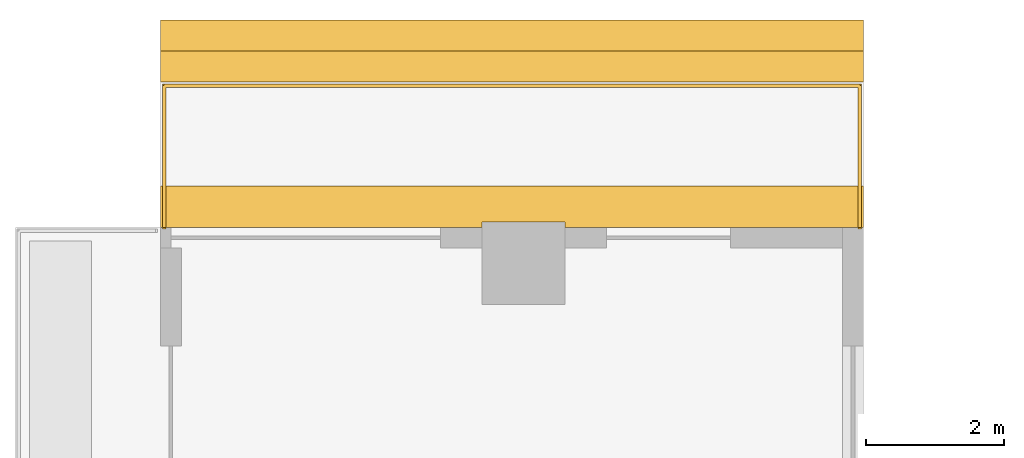
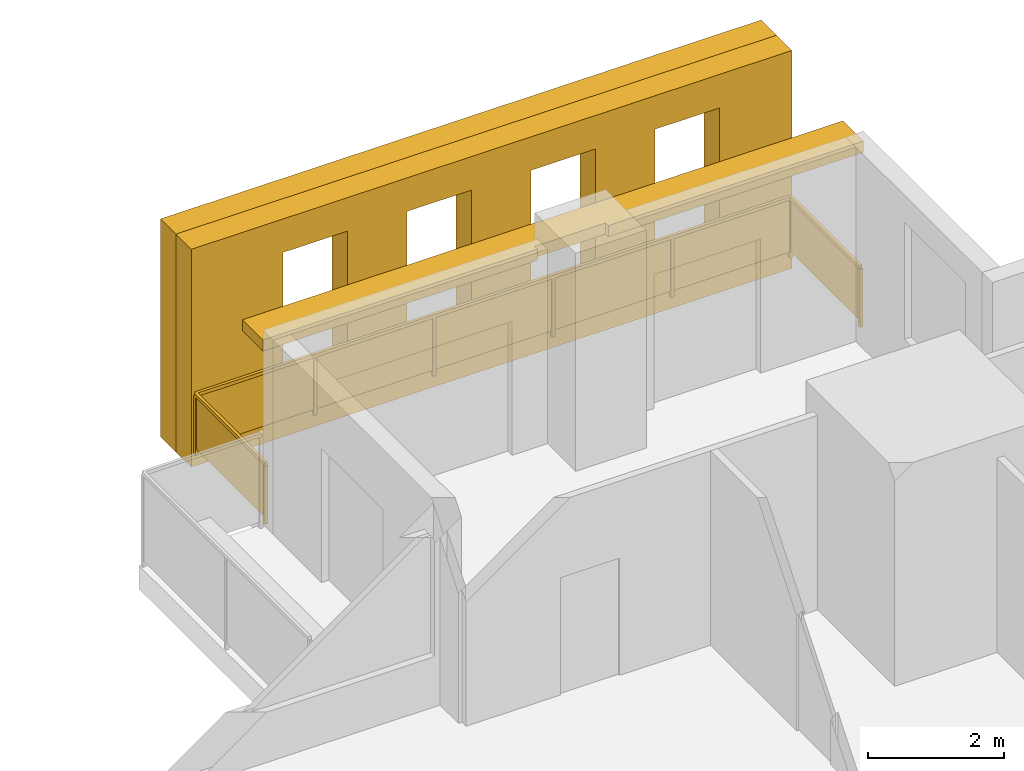
# One storey, part 15 of 15: 3 shading devices, 1 railing.
"""IFC4 building model written with IfcOpenShell, lengths in metres."""

from ifc_helpers import new_model, si_unit, direction, frame, origin, origin_2d, place, context, subcontext, project, spatial, polyline, rectangle, outline, extrude, material, layer, layer_set, type_object, element, save


model = new_model("IFC4")

# Units and contexts
model_context = context("Model", 3, precision=1e-05, world=origin(), true_north=direction((0.0, 1.0)))
body_context = subcontext(model_context, "Body", "Model", "MODEL_VIEW")
ifc_project = project(units=[si_unit("LENGTHUNIT", "METRE"), si_unit("AREAUNIT", "SQUARE_METRE"), si_unit("VOLUMEUNIT", "CUBIC_METRE"), si_unit("PLANEANGLEUNIT", "RADIAN"), si_unit("MASSUNIT", "GRAM", prefix="KILO")], contexts=[model_context])

# Site, building, storey
site_placement = place(None, origin())
site = spatial("IfcSite", under=ifc_project, at=site_placement, CompositionType="ELEMENT")
building_placement = place(site_placement, origin())
building = spatial("IfcBuilding", under=site, at=building_placement, Name="Khepri Terraces", CompositionType="ELEMENT")
storey_placement = place(building_placement, frame((0.0, 0.0, 165.0)))
storey = spatial("IfcBuildingStorey", under=building, at=storey_placement, Name="L39", CompositionType="ELEMENT", Elevation=165.0)

# Railing
ifc_material_1 = material(Name="Stainless steel grade 316", Category="steel")
railing_type = type_object("IfcRailingType", Name="GRD-BAL-1100", PredefinedType="GUARDRAIL", material=ifc_material_1)
railing_placement = place(storey_placement, frame((21.669921875, 25.719970703125, 0.0)))
element("IfcRailing", 1, at=railing_placement, inside=storey, type_object=railing_type, Name="Balcony guard L39 N", PredefinedType="GUARDRAIL", context=body_context, shape_type="SweptSolid", body=[
    extrude(rectangle(XDim=0.050048828125, YDim=0.06005859375, at=origin_2d()), frame((0.0, 0.0, 1.070068359375), z_axis=(0.0, 1.0, 0.0), x_axis=(-1.0, 0.0, 0.0)), (0.0, 0.0, 1.0), 2.050048828125),
    extrude(rectangle(XDim=2.0, YDim=0.011962890625, at=origin_2d()), frame((0.0, 1.02490234375, 0.10009765625), z_axis=(0.0, 0.0, 1.0), x_axis=(0.0, 1.0, 0.0)), (0.0, 0.0, 1.0), 0.93994140625),
    extrude(rectangle(XDim=0.050048828125, YDim=0.06005859375, at=origin_2d()), frame((0.0, 2.050048828125, 1.070068359375), z_axis=(-1.0, 0.0, 0.0), x_axis=(0.0, -1.0, 0.0)), (0.0, 0.0, 1.0), 10.06982421875),
    extrude(rectangle(XDim=1.9638671875, YDim=0.011962890625, at=origin_2d()), frame((-1.007080078125, 2.050048828125, 0.10009765625), z_axis=(0.0, 0.0, 1.0), x_axis=(-1.0, 0.0, 0.0)), (0.0, 0.0, 1.0), 0.93994140625),
    extrude(rectangle(XDim=1.9638671875, YDim=0.011962890625, at=origin_2d()), frame((-3.02099609375, 2.050048828125, 0.10009765625), z_axis=(0.0, 0.0, 1.0), x_axis=(-1.0, 0.0, 0.0)), (0.0, 0.0, 1.0), 0.93994140625),
    extrude(rectangle(XDim=1.9638671875, YDim=0.011962890625, at=origin_2d()), frame((-5.034912109375, 2.050048828125, 0.10009765625), z_axis=(0.0, 0.0, 1.0), x_axis=(-1.0, 0.0, 0.0)), (0.0, 0.0, 1.0), 0.93994140625),
    extrude(rectangle(XDim=1.9638671875, YDim=0.011962890625, at=origin_2d()), frame((-7.048828125, 2.050048828125, 0.10009765625), z_axis=(0.0, 0.0, 1.0), x_axis=(-1.0, 0.0, 0.0)), (0.0, 0.0, 1.0), 0.93994140625),
    extrude(rectangle(XDim=1.9638671875, YDim=0.011962890625, at=origin_2d()), frame((-9.062744140625, 2.050048828125, 0.10009765625), z_axis=(0.0, 0.0, 1.0), x_axis=(-1.0, 0.0, 0.0)), (0.0, 0.0, 1.0), 0.93994140625),
    extrude(rectangle(XDim=0.050048828125, YDim=0.06005859375, at=origin_2d()), frame((-10.06982421875, 2.050048828125, 1.070068359375), z_axis=(0.0, -1.0, 0.0), x_axis=(1.0, 0.0, 0.0)), (0.0, 0.0, 1.0), 2.050048828125),
    extrude(rectangle(XDim=2.0, YDim=0.011962890625, at=origin_2d()), frame((-10.06982421875, 1.02490234375, 0.10009765625), z_axis=(0.0, 0.0, 1.0), x_axis=(0.0, -1.0, 0.0)), (0.0, 0.0, 1.0), 0.93994140625),
    extrude(rectangle(XDim=0.050048828125, YDim=0.050048828125, at=origin_2d()), origin(), (0.0, 0.0, 1.0), 1.0400390625),
    extrude(rectangle(XDim=0.050048828125, YDim=0.050048828125, at=origin_2d()), frame((0.0, 2.050048828125, 0.0)), (0.0, 0.0, 1.0), 1.0400390625),
    extrude(rectangle(XDim=0.050048828125, YDim=0.050048828125, at=origin_2d()), frame((-2.013916015625, 2.050048828125, 0.0)), (0.0, 0.0, 1.0), 1.0400390625),
    extrude(rectangle(XDim=0.050048828125, YDim=0.050048828125, at=origin_2d()), frame((-4.02783203125, 2.050048828125, 0.0)), (0.0, 0.0, 1.0), 1.0400390625),
    extrude(rectangle(XDim=0.050048828125, YDim=0.050048828125, at=origin_2d()), frame((-6.0419921875, 2.050048828125, 0.0)), (0.0, 0.0, 1.0), 1.0400390625),
    extrude(rectangle(XDim=0.050048828125, YDim=0.050048828125, at=origin_2d()), frame((-8.055908203125, 2.050048828125, 0.0)), (0.0, 0.0, 1.0), 1.0400390625),
    extrude(rectangle(XDim=0.050048828125, YDim=0.050048828125, at=origin_2d()), frame((-10.06982421875, 2.050048828125, 0.0)), (0.0, 0.0, 1.0), 1.0400390625),
    extrude(rectangle(XDim=0.050048828125, YDim=0.050048828125, at=origin_2d()), frame((-10.06982421875, 0.0, 0.0)), (0.0, 0.0, 1.0), 1.0400390625),
])

# Shading devices
ifc_material_2 = material(Name="Precast concrete C50/60 warm stone", Category="masonry")
shading_device_type_1 = type_object("IfcShadingDeviceType", Name="SCR-CELL-INNER-450", PredefinedType="USERDEFINED", material=ifc_material_2)
shading_device_1_placement = place(storey_placement, frame((21.719970703125, 27.820068359375, -0.25), z_axis=(0.0, 1.0, 0.0), x_axis=(-1.0, 0.0, 0.0)))
element("IfcShadingDevice", 2, at=shading_device_1_placement, inside=storey, type_object=shading_device_type_1, Name="Cell screen L39 N in", ObjectType="SCREEN", PredefinedType="USERDEFINED", context=body_context, shape_type="SweptSolid", body=[
    extrude(outline(polyline([(0.0, 0.0), (10.169921875, 0.0), (10.169921875, 3.89990234375), (0.0, 3.89990234375), (0.0, 0.0)]), holes=[polyline([(1.2265625, 0.699951171875), (2.3134765625, 0.699951171875), (2.3134765625, 3.300048828125), (1.2265625, 3.300048828125), (1.2265625, 0.699951171875)]), polyline([(3.32666015625, 0.699951171875), (4.413330078125, 0.699951171875), (4.413330078125, 3.300048828125), (3.32666015625, 3.300048828125), (3.32666015625, 0.699951171875)]), polyline([(5.426513671875, 0.699951171875), (6.513427734375, 0.699951171875), (6.513427734375, 3.300048828125), (5.426513671875, 3.300048828125), (5.426513671875, 0.699951171875)]), polyline([(7.526611328125, 0.699951171875), (8.61328125, 0.699951171875), (8.61328125, 3.300048828125), (7.526611328125, 3.300048828125), (7.526611328125, 0.699951171875)])]), origin(), (0.0, 0.0, 1.0), 0.449951171875),
])
shading_device_type_2 = type_object("IfcShadingDeviceType", Name="SCR-CELL-OUTER-450", PredefinedType="USERDEFINED", material=ifc_material_2)
shading_device_2_placement = place(storey_placement, frame((21.719970703125, 28.27001953125, -0.25), z_axis=(0.0, 1.0, 0.0), x_axis=(-1.0, 0.0, 0.0)))
element("IfcShadingDevice", 3, at=shading_device_2_placement, inside=storey, type_object=shading_device_type_2, Name="Cell screen L39 N out", ObjectType="SCREEN", PredefinedType="USERDEFINED", context=body_context, shape_type="SweptSolid", body=[
    extrude(outline(polyline([(0.0, 0.0), (10.169921875, 0.0), (10.169921875, 3.89990234375), (0.0, 3.89990234375), (0.0, 0.0)]), holes=[polyline([(0.876708984375, 0.449951171875), (2.663330078125, 0.449951171875), (2.663330078125, 3.550048828125), (0.876708984375, 3.550048828125), (0.876708984375, 0.449951171875)]), polyline([(2.9765625, 0.449951171875), (4.763427734375, 0.449951171875), (4.763427734375, 3.550048828125), (2.9765625, 3.550048828125), (2.9765625, 0.449951171875)]), polyline([(5.07666015625, 0.449951171875), (6.86328125, 0.449951171875), (6.86328125, 3.550048828125), (5.07666015625, 3.550048828125), (5.07666015625, 0.449951171875)]), polyline([(7.176513671875, 0.449951171875), (8.96337890625, 0.449951171875), (8.96337890625, 3.550048828125), (7.176513671875, 3.550048828125), (7.176513671875, 0.449951171875)])]), origin(), (0.0, 0.0, 1.0), 0.449951171875),
])
ifc_layer = layer(ifc_material_2, 0.199951171875, Name="Precast concrete C50/60 warm stone", Category="masonry")
ifc_layer_set = layer_set([ifc_layer], Name="Precast concrete C50/60 warm stone")
shading_device_type_3 = type_object("IfcShadingDeviceType", Name="SSH-BAND-STONE-200-N", PredefinedType="USERDEFINED", material=ifc_layer_set)
shading_device_3_placement = place(storey_placement, frame((0.0, 0.0, 3.10009765625)))
element("IfcShadingDevice", 4, at=shading_device_3_placement, inside=storey, type_object=shading_device_type_3, Name="Sunshade band L39 N", ObjectType="SUNSHADE", PredefinedType="USERDEFINED", context=body_context, shape_type="SweptSolid", body=[
    extrude(outline(polyline([(17.39990234375, 25.719970703125), (21.719970703125, 25.719970703125), (21.719970703125, 26.320068359375), (11.550048828125, 26.320068359375), (11.550048828125, 25.719970703125), (16.199951171875, 25.719970703125), (16.199951171875, 25.800048828125), (17.39990234375, 25.800048828125), (17.39990234375, 25.719970703125)])), origin(), (0.0, 0.0, 1.0), 0.199951171875),
])

save(model, "model.ifc")
